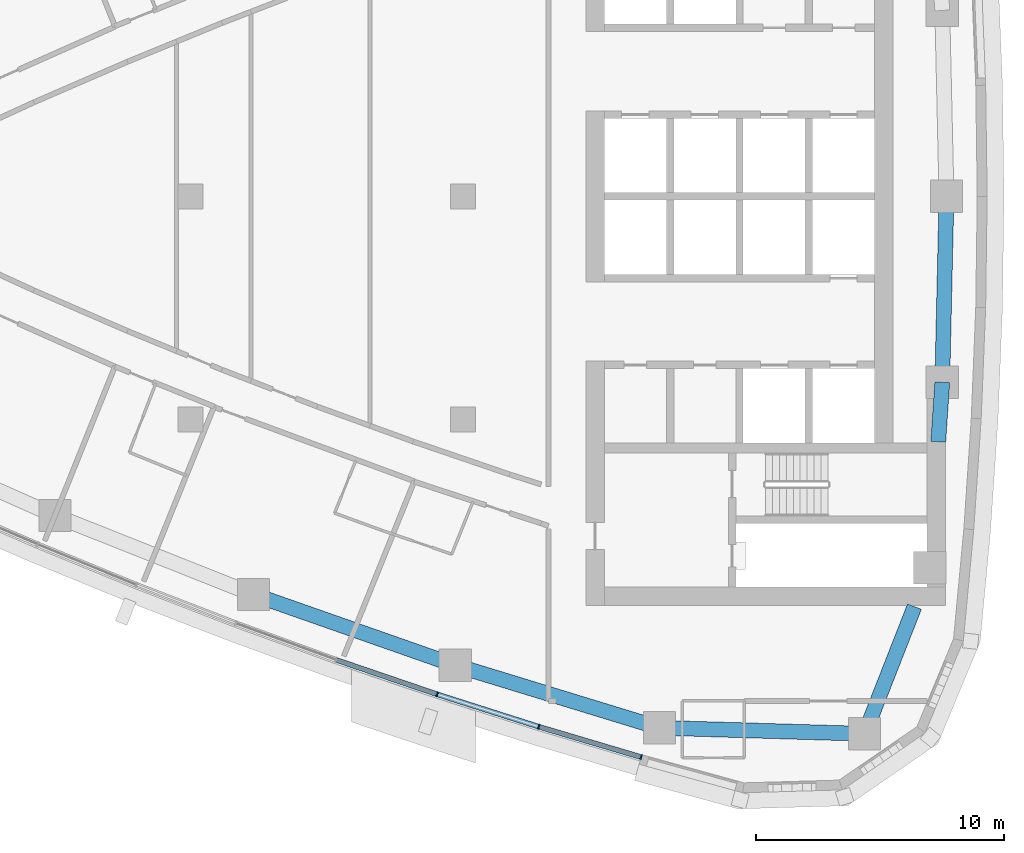
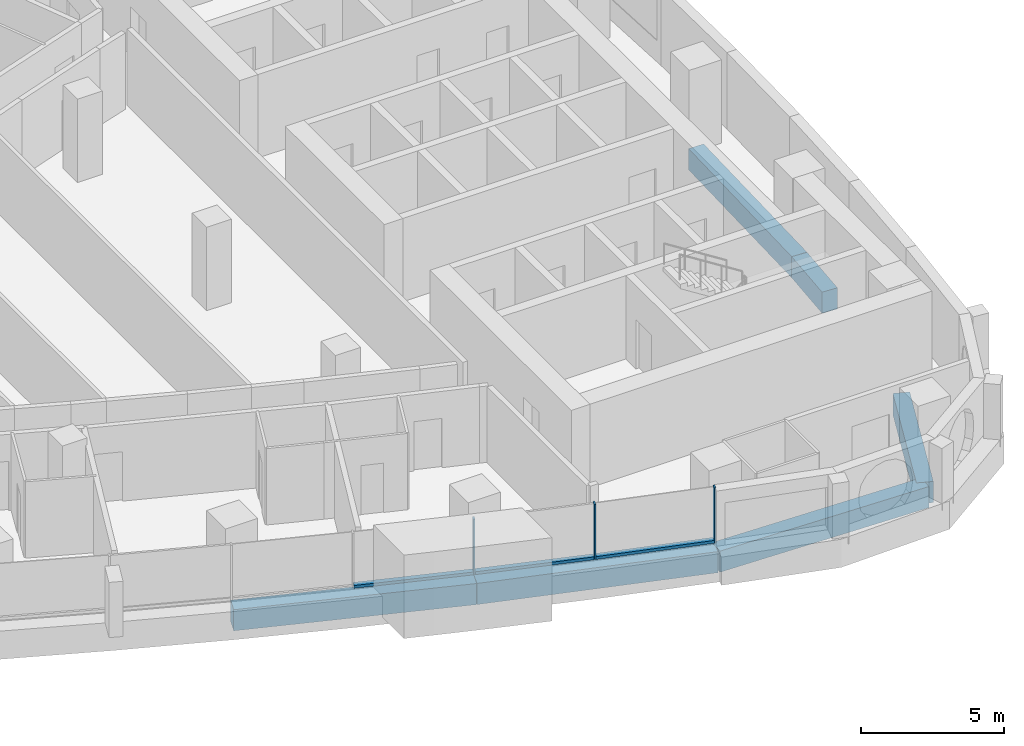
# One storey, part 4 of 17: 6 beams, 6 members, 2 elements without a shape of their own.
"""IFC4 building model written with IfcOpenShell, lengths in metres."""

from ifc_helpers import new_model, si_unit, direction, frame, origin, origin_2d, place, context, subcontext, project, spatial, rectangle, extrude, material, layer, layer_set, material_profile, profile_set, type_object, element, aggregate, save


model = new_model("IFC4")

# Units and contexts
model_context = context("Model", 3, precision=1e-05, world=origin(), true_north=direction((0.0, 1.0)))
body_context = subcontext(model_context, "Body", "Model", "MODEL_VIEW")
ifc_project = project(units=[si_unit("LENGTHUNIT", "METRE"), si_unit("AREAUNIT", "SQUARE_METRE"), si_unit("VOLUMEUNIT", "CUBIC_METRE"), si_unit("PLANEANGLEUNIT", "RADIAN"), si_unit("MASSUNIT", "GRAM", prefix="KILO")], contexts=[model_context])

# Site, building, storey
site_placement = place(None, origin())
site = spatial("IfcSite", under=ifc_project, at=site_placement, CompositionType="ELEMENT")
building_placement = place(site_placement, origin())
building = spatial("IfcBuilding", under=site, at=building_placement, Name="Ostrand Prow Hotel Tower", CompositionType="ELEMENT")
storey_placement = place(building_placement, frame((0.0, 0.0, 203.89990234375)))
storey = spatial("IfcBuildingStorey", under=building, at=storey_placement, Name="L51", CompositionType="ELEMENT", Elevation=203.89990234375)

# Beams
ifc_material_1 = material(Name="Concrete C60/75", Category="concrete")
ifc_material_profile_1 = material_profile(ifc_material_1, rectangle(XDim=0.60009765625, YDim=0.89990234375, at=origin_2d()), Name="RC 600x900")
ifc_profile_set_1 = profile_set([ifc_material_profile_1], Name="Concrete C60/75")
beam_type = type_object("IfcBeamType", Name="Edge beam 600x900 C60/75", PredefinedType="SPANDREL", material=ifc_profile_set_1)
for number, where, z_axis, x_axis, name in (
    (1, (36.547119140625, -16.060791015625, -0.75), (0.943593618681, -0.33110584831, 0.0), (0.33110584831, 0.943593618681, 0.0), "Edge beam S4-S5"),
    (2, (44.6826171875, -18.91552734375, -0.75), (0.956245556413, -0.292565267659, 0.0), (0.292565267659, 0.956245556413, 0.0), "Edge beam S5-S6"),
):
    element("IfcBeam", number, at=place(storey_placement, frame(where, z_axis=z_axis, x_axis=x_axis)), inside=storey, type_object=beam_type, Name=name, PredefinedType="SPANDREL", context=body_context, shape_type="SweptSolid", body=[
        extrude(rectangle(XDim=0.60009765625, YDim=0.89990234375, at=origin_2d()), origin(), (0.0, 0.0, 1.0), 8.621826171875),
    ])
beam_1_placement = place(storey_placement, frame((52.92724609375, -21.43798828125, -0.75), z_axis=(0.999575901438, -0.029120735993, 0.0), x_axis=(0.029120735993, 0.999575901438, 0.0)))
element("IfcBeam", 3, at=beam_1_placement, inside=storey, type_object=beam_type, Name="Edge beam S6-SE", PredefinedType="SPANDREL", context=body_context, shape_type="SweptSolid", body=[
    extrude(rectangle(XDim=0.60009765625, YDim=0.89990234375, at=origin_2d()), origin(), (0.0, 0.0, 1.0), 8.274658203125),
])
beam_2_placement = place(storey_placement, frame((61.198486328125, -21.678955078125, -0.75), z_axis=(0.364802049817, 0.931085100541, 0.0), x_axis=(-0.931085100541, 0.364802049817, 0.0)))
element("IfcBeam", 4, at=beam_2_placement, inside=storey, type_object=beam_type, Name="Edge beam SE-B1", PredefinedType="SPANDREL", context=body_context, shape_type="SweptSolid", body=[
    extrude(rectangle(XDim=0.60009765625, YDim=0.89990234375, at=origin_2d()), origin(), (0.0, 0.0, 1.0), 5.508544921875),
])
beam_3_placement = place(storey_placement, frame((64.167236328125, -9.89990234375, -0.75), z_axis=(0.067778284608, 0.997700408006, 0.0), x_axis=(-0.997700408006, 0.067778284608, 0.0)))
element("IfcBeam", 5, at=beam_3_placement, inside=storey, type_object=beam_type, Name="Edge beam B1-B2", PredefinedType="SPANDREL", context=body_context, shape_type="SweptSolid", body=[
    extrude(rectangle(XDim=0.60009765625, YDim=0.89990234375, at=origin_2d()), origin(), (0.0, 0.0, 1.0), 2.40625),
])
beam_4_placement = place(storey_placement, frame((64.330322265625, -7.499267578125, -0.75), z_axis=(0.022620118241, 0.999744132391, 0.0), x_axis=(-0.999744132391, 0.022620118241, 0.0)))
element("IfcBeam", 6, at=beam_4_placement, inside=storey, type_object=beam_type, Name="Edge beam B2-B3", PredefinedType="SPANDREL", context=body_context, shape_type="SweptSolid", body=[
    extrude(rectangle(XDim=0.60009765625, YDim=0.89990234375, at=origin_2d()), origin(), (0.0, 0.0, 1.0), 7.501220703125),
])

# Curtain wall, member
ifc_material_2 = material(Name="Insulated glass in bronze anodised frame", Category="glass")
ifc_layer = layer(ifc_material_2, 0.199951171875)
ifc_layer_set = layer_set([ifc_layer], Name="Insulated glass in bronze anodised frame")
curtain_wall_type = type_object("IfcCurtainWallType", Name="Strip curtain wall, fritted glass over bronze spandrel", PredefinedType="NOTDEFINED", material=ifc_layer_set)
curtain_wall_1_placement = place(storey_placement, origin())
curtain_wall_1 = element("IfcCurtainWall", 7, at=curtain_wall_1_placement, inside=storey, type_object=curtain_wall_type, Name="CW1 run CWS4", PredefinedType="NOTDEFINED")
ifc_material_3 = material(Name="Bronze anodised aluminium", Category="aluminium")
ifc_material_profile_2 = material_profile(ifc_material_3, rectangle(XDim=0.199951171875, YDim=0.06005859375, at=origin_2d()), Name="Mullion 60x200 bronze anodised aluminium")
ifc_profile_set_2 = profile_set([ifc_material_profile_2], Name="Bronze anodised aluminium")
member_type_1 = type_object("IfcMemberType", Name="Mullion 60x200 bronze anodised aluminium", PredefinedType="MULLION", material=ifc_profile_set_2)
member_1_placement = place(storey_placement, frame((43.95361328125, -20.086669921875, 0.900146484375), z_axis=(0.0, 0.0, 1.0), x_axis=(0.322908332404, 0.946430245113, 0.0)))
member_1 = element("IfcMember", 8, at=member_1_placement, type_object=member_type_1, Name="CW1 mullion 3", PredefinedType="MULLION", context=body_context, shape_type="SweptSolid", body=[
    extrude(rectangle(XDim=0.199951171875, YDim=0.06005859375, at=origin_2d()), origin(), (0.0, 0.0, 1.0), 2.349853515625),
])

# Curtain wall, members
curtain_wall_2_placement = place(storey_placement, origin())
curtain_wall_2 = element("IfcCurtainWall", 9, at=curtain_wall_2_placement, inside=storey, type_object=curtain_wall_type, Name="CW1 run CWS5", PredefinedType="NOTDEFINED")
member_2_placement = place(storey_placement, frame((48.055419921875, -21.39453125, 0.900146484375), z_axis=(0.0, 0.0, 1.0), x_axis=(0.284544113619, 0.958662947758, 0.0)))
member_2 = element("IfcMember", 10, at=member_2_placement, type_object=member_type_1, Name="CW1 mullion 2", PredefinedType="MULLION", context=body_context, shape_type="SweptSolid", body=[
    extrude(rectangle(XDim=0.199951171875, YDim=0.06005859375, at=origin_2d()), origin(), (0.0, 0.0, 1.0), 2.349853515625),
])
member_3_placement = place(storey_placement, frame((52.182373046875, -22.619384765625, 0.900146484375), z_axis=(0.0, 0.0, 1.0), x_axis=(0.284544113619, 0.958662947758, 0.0)))
member_3 = element("IfcMember", 11, at=member_3_placement, type_object=member_type_1, Name="CW1 mullion 3", PredefinedType="MULLION", context=body_context, shape_type="SweptSolid", body=[
    extrude(rectangle(XDim=0.199951171875, YDim=0.06005859375, at=origin_2d()), origin(), (0.0, 0.0, 1.0), 2.349853515625),
])

# Member
ifc_material_4 = material(Name="Bronze anodised aluminium", Category="aluminium")
ifc_material_profile_3 = material_profile(ifc_material_4, rectangle(XDim=0.199951171875, YDim=0.1201171875, at=origin_2d()), Name="Transom 120x200 bronze anodised aluminium")
ifc_profile_set_3 = profile_set([ifc_material_profile_3], Name="Bronze anodised aluminium")
member_type_2 = type_object("IfcMemberType", Name="Transom 120x200 bronze anodised aluminium", PredefinedType="USERDEFINED", material=ifc_profile_set_3)
member_4_placement = place(storey_placement, frame((39.90771484375, -18.706298828125, 0.960205078125), z_axis=(0.946422327772, -0.322931536852, 0.0), x_axis=(0.322931536852, 0.946422327772, 0.0)))
member_4 = element("IfcMember", 12, at=member_4_placement, type_object=member_type_2, Name="CW1 transom 2.1", ObjectType="TRANSOM", PredefinedType="USERDEFINED", context=body_context, shape_type="SweptSolid", body=[
    extrude(rectangle(XDim=0.199951171875, YDim=0.1201171875, at=origin_2d()), origin(), (0.0, 0.0, 1.0), 4.2451171875),
])

aggregate(curtain_wall_1, [member_1, member_4])

member_5_placement = place(storey_placement, frame((43.982421875, -20.095947265625, 0.960205078125), z_axis=(0.952737512605, -0.303794720289, 0.0), x_axis=(0.303794720289, 0.952737512605, 0.0)))
member_5 = element("IfcMember", 13, at=member_5_placement, type_object=member_type_2, Name="CW1 transom 1.1", ObjectType="TRANSOM", PredefinedType="USERDEFINED", context=body_context, shape_type="SweptSolid", body=[
    extrude(rectangle(XDim=0.199951171875, YDim=0.1201171875, at=origin_2d()), origin(), (0.0, 0.0, 1.0), 4.244873046875),
])

member_6_placement = place(storey_placement, frame((48.083984375, -21.403076171875, 0.960205078125), z_axis=(0.958661084062, -0.284550392558, 0.0), x_axis=(0.284550392558, 0.958661084062, 0.0)))
member_6 = element("IfcMember", 14, at=member_6_placement, type_object=member_type_2, Name="CW1 transom 2.1", ObjectType="TRANSOM", PredefinedType="USERDEFINED", context=body_context, shape_type="SweptSolid", body=[
    extrude(rectangle(XDim=0.199951171875, YDim=0.1201171875, at=origin_2d()), origin(), (0.0, 0.0, 1.0), 4.245361328125),
])

aggregate(curtain_wall_2, [member_2, member_3, member_5, member_6])

save(model, "model.ifc")
